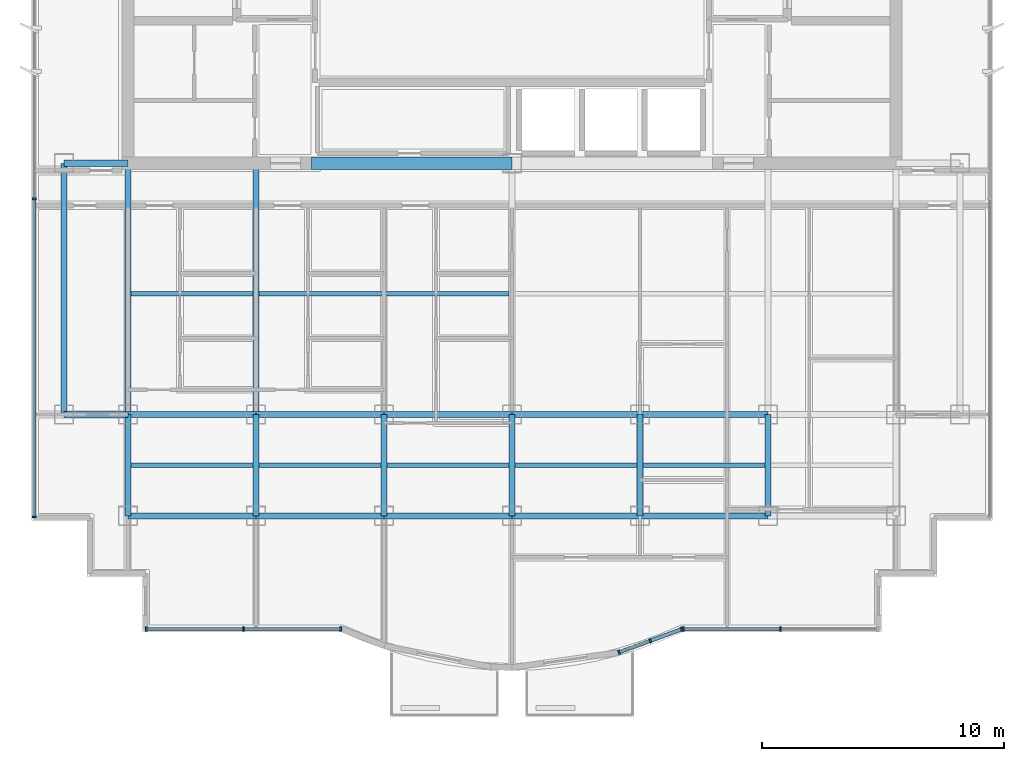
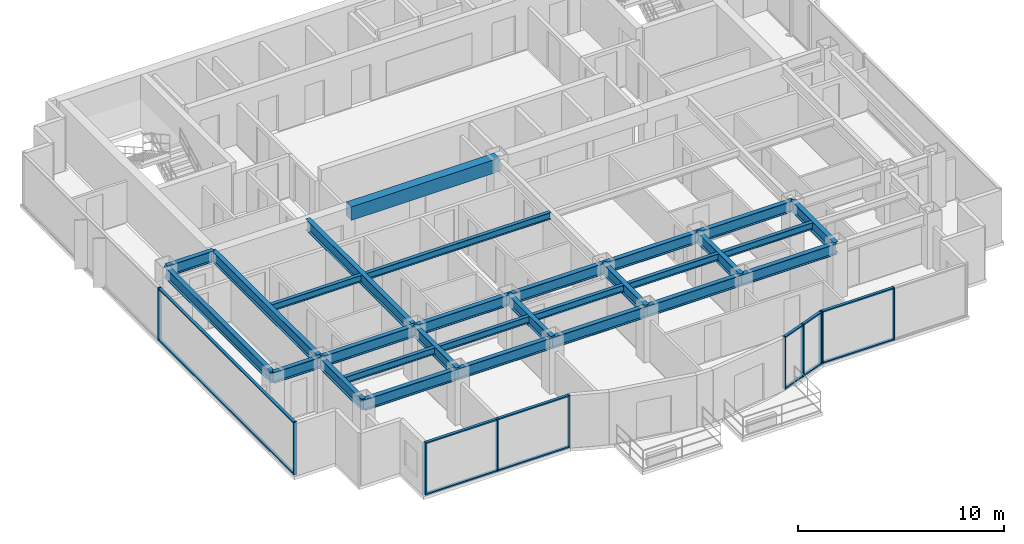
# One storey, part 2 of 12: 29 beams, 22 members, 4 elements without a shape of their own.
"""IFC4 building model written with IfcOpenShell, lengths in metres."""

from ifc_helpers import new_model, si_unit, direction, frame, origin, origin_2d, place, context, subcontext, project, spatial, rectangle, i_section, extrude, source, transform, mapped, material, layer, layer_set, material_profile, profile_set, type_object, element, aggregate, save


model = new_model("IFC4")

# Units and contexts
model_context = context("Model", 3, precision=1e-05, world=origin(), true_north=direction((0.0, 1.0)))
body_context = subcontext(model_context, "Body", "Model", "MODEL_VIEW")
ifc_project = project(units=[si_unit("LENGTHUNIT", "METRE"), si_unit("AREAUNIT", "SQUARE_METRE"), si_unit("VOLUMEUNIT", "CUBIC_METRE"), si_unit("PLANEANGLEUNIT", "RADIAN"), si_unit("MASSUNIT", "GRAM", prefix="KILO")], contexts=[model_context])

# Site, building, storey
site_placement = place(None, origin())
site = spatial("IfcSite", under=ifc_project, at=site_placement, CompositionType="ELEMENT")
building_placement = place(site_placement, origin())
building = spatial("IfcBuilding", under=site, at=building_placement, Name="Qianlan Lanfeng Residences", CompositionType="ELEMENT")
storey_placement = place(building_placement, frame((0.0, 0.0, 196.699951171875)))
storey = spatial("IfcBuildingStorey", under=building, at=storey_placement, Name="L53", CompositionType="ELEMENT", Elevation=196.699951171875)

# Beams
ifc_material_1 = material(Name="Steel SN490B", Category="steel")
ifc_material_profile_1 = material_profile(ifc_material_1, i_section(OverallWidth=0.25, OverallDepth=0.64990234375, WebThickness=0.012939453125, FlangeThickness=0.02197265625, at=origin_2d()), Name="H 650x250x13x22")
ifc_profile_set_1 = profile_set([ifc_material_profile_1], Name="Steel SN490B")
beam_type_1 = type_object("IfcBeamType", Name="G-650", PredefinedType="BEAM", material=ifc_profile_set_1)
beam_1_placement = place(storey_placement, frame((10.60009765625, 10.60009765625, 2.78515625), z_axis=(1.0, 0.0, 0.0), x_axis=(0.0, 1.0, 0.0)))
element("IfcBeam", 1, at=beam_1_placement, inside=storey, type_object=beam_type_1, Name="Structural beam G-650", PredefinedType="BEAM", context=body_context, shape_type="SweptSolid", body=[
    extrude(i_section(OverallWidth=0.25, OverallDepth=0.64990234375, WebThickness=0.012939453125, FlangeThickness=0.02197265625, at=origin_2d()), origin(), (0.0, 0.0, 1.0), 5.2998046875),
])
for number, where, z_axis, x_axis, name in (
    (2, (15.89990234375, 10.60009765625, 2.78515625), (1.0, 0.0, 0.0), (0.0, 1.0, 0.0), "Structural beam G-650"),
    (3, (21.199951171875, 10.60009765625, 2.78515625), (1.0, 0.0, 0.0), (0.0, 1.0, 0.0), "Structural beam G-650"),
    (4, (26.5, 10.60009765625, 2.78515625), (1.0, 0.0, 0.0), (0.0, 1.0, 0.0), "Structural beam G-650"),
    (5, (31.800048828125, 10.60009765625, 2.78515625), (1.0, 0.0, 0.0), (0.0, 1.0, 0.0), "Structural beam G-650"),
):
    element("IfcBeam", number, at=place(storey_placement, frame(where, z_axis=z_axis, x_axis=x_axis)), inside=storey, type_object=beam_type_1, Name=name, PredefinedType="BEAM", context=body_context, shape_type="SweptSolid", body=[
        extrude(i_section(OverallWidth=0.25, OverallDepth=0.64990234375, WebThickness=0.012939453125, FlangeThickness=0.02197265625, at=origin_2d()), origin(), (0.0, 0.0, 1.0), 5.300048828125),
    ])
beam_2_placement = place(storey_placement, frame((7.949951171875, 14.800048828125, 2.78515625), z_axis=(1.0, 0.0, 0.0), x_axis=(0.0, 1.0, 0.0)))
element("IfcBeam", 6, at=beam_2_placement, inside=storey, type_object=beam_type_1, Name="Structural beam G-650", PredefinedType="BEAM", context=body_context, shape_type="SweptSolid", body=[
    extrude(i_section(OverallWidth=0.25, OverallDepth=0.64990234375, WebThickness=0.012939453125, FlangeThickness=0.02197265625, at=origin_2d()), origin(), (0.0, 0.0, 1.0), 2.650146484375),
])
beam_3_placement = place(storey_placement, frame((10.60009765625, 14.800048828125, 2.78515625), z_axis=(1.0, 0.0, 0.0), x_axis=(0.0, 1.0, 0.0)))
element("IfcBeam", 7, at=beam_3_placement, inside=storey, type_object=beam_type_1, Name="Structural beam G-650", PredefinedType="BEAM", context=body_context, shape_type="SweptSolid", body=[
    extrude(i_section(OverallWidth=0.25, OverallDepth=0.64990234375, WebThickness=0.012939453125, FlangeThickness=0.02197265625, at=origin_2d()), origin(), (0.0, 0.0, 1.0), 5.2998046875),
])
for number, where, z_axis, x_axis, name in (
    (8, (15.89990234375, 14.800048828125, 2.78515625), (1.0, 0.0, 0.0), (0.0, 1.0, 0.0), "Structural beam G-650"),
    (9, (21.199951171875, 14.800048828125, 2.78515625), (1.0, 0.0, 0.0), (0.0, 1.0, 0.0), "Structural beam G-650"),
    (10, (26.5, 14.800048828125, 2.78515625), (1.0, 0.0, 0.0), (0.0, 1.0, 0.0), "Structural beam G-650"),
    (11, (31.800048828125, 14.800048828125, 2.78515625), (1.0, 0.0, 0.0), (0.0, 1.0, 0.0), "Structural beam G-650"),
):
    element("IfcBeam", number, at=place(storey_placement, frame(where, z_axis=z_axis, x_axis=x_axis)), inside=storey, type_object=beam_type_1, Name=name, PredefinedType="BEAM", context=body_context, shape_type="SweptSolid", body=[
        extrude(i_section(OverallWidth=0.25, OverallDepth=0.64990234375, WebThickness=0.012939453125, FlangeThickness=0.02197265625, at=origin_2d()), origin(), (0.0, 0.0, 1.0), 5.300048828125),
    ])
beam_4_placement = place(storey_placement, frame((7.949951171875, 25.199951171875, 2.78515625), z_axis=(1.0, 0.0, 0.0), x_axis=(0.0, 1.0, 0.0)))
element("IfcBeam", 12, at=beam_4_placement, inside=storey, type_object=beam_type_1, Name="Structural beam G-650", PredefinedType="BEAM", context=body_context, shape_type="SweptSolid", body=[
    extrude(i_section(OverallWidth=0.25, OverallDepth=0.64990234375, WebThickness=0.012939453125, FlangeThickness=0.02197265625, at=origin_2d()), origin(), (0.0, 0.0, 1.0), 2.650146484375),
])
beam_5_placement = place(storey_placement, frame((10.60009765625, 10.60009765625, 2.78515625), z_axis=(0.0, 1.0, 0.0), x_axis=(-1.0, 0.0, 0.0)))
element("IfcBeam", 13, at=beam_5_placement, inside=storey, type_object=beam_type_1, Name="Structural beam G-650", PredefinedType="BEAM", context=body_context, shape_type="SweptSolid", body=[
    extrude(i_section(OverallWidth=0.25, OverallDepth=0.64990234375, WebThickness=0.012939453125, FlangeThickness=0.02197265625, at=origin_2d()), origin(), (0.0, 0.0, 1.0), 4.199951171875),
])
beam_6_placement = place(storey_placement, frame((10.60009765625, 14.800048828125, 2.78515625), z_axis=(0.0, 1.0, 0.0), x_axis=(-1.0, 0.0, 0.0)))
element("IfcBeam", 14, at=beam_6_placement, inside=storey, type_object=beam_type_1, Name="Structural beam G-650", PredefinedType="BEAM", context=body_context, shape_type="SweptSolid", body=[
    extrude(i_section(OverallWidth=0.25, OverallDepth=0.64990234375, WebThickness=0.012939453125, FlangeThickness=0.02197265625, at=origin_2d()), origin(), (0.0, 0.0, 1.0), 10.39990234375),
])
beam_7_placement = place(storey_placement, frame((15.89990234375, 10.60009765625, 2.78515625), z_axis=(0.0, 1.0, 0.0), x_axis=(-1.0, 0.0, 0.0)))
element("IfcBeam", 15, at=beam_7_placement, inside=storey, type_object=beam_type_1, Name="Structural beam G-650", PredefinedType="BEAM", context=body_context, shape_type="SweptSolid", body=[
    extrude(i_section(OverallWidth=0.25, OverallDepth=0.64990234375, WebThickness=0.012939453125, FlangeThickness=0.02197265625, at=origin_2d()), origin(), (0.0, 0.0, 1.0), 4.199951171875),
])
beam_8_placement = place(storey_placement, frame((15.89990234375, 14.800048828125, 2.78515625), z_axis=(0.0, 1.0, 0.0), x_axis=(-1.0, 0.0, 0.0)))
element("IfcBeam", 16, at=beam_8_placement, inside=storey, type_object=beam_type_1, Name="Structural beam G-650", PredefinedType="BEAM", context=body_context, shape_type="SweptSolid", body=[
    extrude(i_section(OverallWidth=0.25, OverallDepth=0.64990234375, WebThickness=0.012939453125, FlangeThickness=0.02197265625, at=origin_2d()), origin(), (0.0, 0.0, 1.0), 10.39990234375),
])
for number, where, z_axis, x_axis, name in (
    (17, (21.199951171875, 10.60009765625, 2.78515625), (0.0, 1.0, 0.0), (-1.0, 0.0, 0.0), "Structural beam G-650"),
    (18, (26.5, 10.60009765625, 2.78515625), (0.0, 1.0, 0.0), (-1.0, 0.0, 0.0), "Structural beam G-650"),
    (19, (31.800048828125, 10.60009765625, 2.78515625), (0.0, 1.0, 0.0), (-1.0, 0.0, 0.0), "Structural beam G-650"),
    (20, (37.10009765625, 10.60009765625, 2.78515625), (0.0, 1.0, 0.0), (-1.0, 0.0, 0.0), "Structural beam G-650"),
):
    element("IfcBeam", number, at=place(storey_placement, frame(where, z_axis=z_axis, x_axis=x_axis)), inside=storey, type_object=beam_type_1, Name=name, PredefinedType="BEAM", context=body_context, shape_type="SweptSolid", body=[
        extrude(i_section(OverallWidth=0.25, OverallDepth=0.64990234375, WebThickness=0.012939453125, FlangeThickness=0.02197265625, at=origin_2d()), origin(), (0.0, 0.0, 1.0), 4.199951171875),
    ])
ifc_material_profile_2 = material_profile(ifc_material_1, i_section(OverallWidth=0.199951171875, OverallDepth=0.39990234375, WebThickness=0.008056640625, FlangeThickness=0.012939453125, at=origin_2d()), Name="H 400x200x8x13")
ifc_profile_set_2 = profile_set([ifc_material_profile_2], Name="Steel SN490B")
beam_type_2 = type_object("IfcBeamType", Name="J-400", PredefinedType="JOIST", material=ifc_profile_set_2)
beam_9_placement = place(storey_placement, frame((10.72509765625, 12.699951171875, 2.91015625), z_axis=(1.0, 0.0, 0.0), x_axis=(0.0, 1.0, 0.0)))
element("IfcBeam", 21, at=beam_9_placement, inside=storey, type_object=beam_type_2, Name="Structural beam J-400", PredefinedType="JOIST", context=body_context, shape_type="SweptSolid", body=[
    extrude(i_section(OverallWidth=0.199951171875, OverallDepth=0.39990234375, WebThickness=0.008056640625, FlangeThickness=0.012939453125, at=origin_2d()), origin(), (0.0, 0.0, 1.0), 5.0498046875),
])
for number, where, z_axis, x_axis, name in (
    (22, (16.02490234375, 12.699951171875, 2.91015625), (1.0, 0.0, 0.0), (0.0, 1.0, 0.0), "Structural beam J-400"),
    (23, (21.324951171875, 12.699951171875, 2.91015625), (1.0, 0.0, 0.0), (0.0, 1.0, 0.0), "Structural beam J-400"),
    (24, (26.625, 12.699951171875, 2.91015625), (1.0, 0.0, 0.0), (0.0, 1.0, 0.0), "Structural beam J-400"),
    (25, (31.925048828125, 12.699951171875, 2.91015625), (1.0, 0.0, 0.0), (0.0, 1.0, 0.0), "Structural beam J-400"),
):
    element("IfcBeam", number, at=place(storey_placement, frame(where, z_axis=z_axis, x_axis=x_axis)), inside=storey, type_object=beam_type_2, Name=name, PredefinedType="JOIST", context=body_context, shape_type="SweptSolid", body=[
        extrude(i_section(OverallWidth=0.199951171875, OverallDepth=0.39990234375, WebThickness=0.008056640625, FlangeThickness=0.012939453125, at=origin_2d()), origin(), (0.0, 0.0, 1.0), 5.050048828125),
    ])
beam_10_placement = place(storey_placement, frame((10.72509765625, 19.800048828125, 2.91015625), z_axis=(1.0, 0.0, 0.0), x_axis=(0.0, 1.0, 0.0)))
element("IfcBeam", 26, at=beam_10_placement, inside=storey, type_object=beam_type_2, Name="Structural beam J-400", PredefinedType="JOIST", context=body_context, shape_type="SweptSolid", body=[
    extrude(i_section(OverallWidth=0.199951171875, OverallDepth=0.39990234375, WebThickness=0.008056640625, FlangeThickness=0.012939453125, at=origin_2d()), origin(), (0.0, 0.0, 1.0), 5.0498046875),
])
beam_11_placement = place(storey_placement, frame((16.02490234375, 19.800048828125, 2.91015625), z_axis=(1.0, 0.0, 0.0), x_axis=(0.0, 1.0, 0.0)))
element("IfcBeam", 27, at=beam_11_placement, inside=storey, type_object=beam_type_2, Name="Structural beam J-400", PredefinedType="JOIST", context=body_context, shape_type="SweptSolid", body=[
    extrude(i_section(OverallWidth=0.199951171875, OverallDepth=0.39990234375, WebThickness=0.008056640625, FlangeThickness=0.012939453125, at=origin_2d()), origin(), (0.0, 0.0, 1.0), 10.35009765625),
])
ifc_material_2 = material(Name="Concrete C49", Category="concrete")
ifc_material_profile_3 = material_profile(ifc_material_2, rectangle(XDim=0.5, YDim=0.800048828125, at=origin_2d()), Name="RC 500x800")
ifc_profile_set_3 = profile_set([ifc_material_profile_3], Name="Concrete C49")
beam_type_3 = type_object("IfcBeamType", Name="LB-RC750", PredefinedType="BEAM", material=ifc_profile_set_3)
beam_12_placement = place(storey_placement, frame((18.199951171875, 25.199951171875, 2.7099609375), z_axis=(1.0, 0.0, 0.0), x_axis=(0.0, 1.0, 0.0)))
element("IfcBeam", 28, at=beam_12_placement, inside=storey, type_object=beam_type_3, Name="L53 Core Coupling Beam W", PredefinedType="BEAM", context=body_context, shape_type="SweptSolid", body=[
    extrude(rectangle(XDim=0.5, YDim=0.800048828125, at=origin_2d()), origin(), (0.0, 0.0, 1.0), 8.300048828125),
])
ifc_material_profile_4 = material_profile(ifc_material_1, i_section(OverallWidth=0.25, OverallDepth=0.64990234375, WebThickness=0.012939453125, FlangeThickness=0.02197265625, at=origin_2d()), Name="H 650x250x13x22")
ifc_profile_set_4 = profile_set([ifc_material_profile_4], Name="Steel SN490B")
beam_type_4 = type_object("IfcBeamType", Name="SG-650", PredefinedType="SPANDREL", material=ifc_profile_set_4)
beam_13_placement = place(storey_placement, frame((7.949951171875, 14.800048828125, 2.76513671875), z_axis=(0.0, 1.0, 0.0), x_axis=(-1.0, 0.0, 0.0)))
element("IfcBeam", 29, at=beam_13_placement, inside=storey, type_object=beam_type_4, Name="Structural beam SG-650", PredefinedType="SPANDREL", context=body_context, shape_type="SweptSolid", body=[
    extrude(i_section(OverallWidth=0.25, OverallDepth=0.64990234375, WebThickness=0.012939453125, FlangeThickness=0.02197265625, at=origin_2d()), origin(), (0.0, 0.0, 1.0), 10.39990234375),
])

# Curtain wall, members
ifc_material_3 = material(Name="Anodised Bronze Aluminium 6063-T6", Category="aluminium")
ifc_layer = layer(ifc_material_3, 0.219970703125)
ifc_layer_set = layer_set([ifc_layer], Name="Anodised Bronze Aluminium 6063-T6")
curtain_wall_type = type_object("IfcCurtainWallType", Name="CW-05", PredefinedType="NOTDEFINED", material=ifc_layer_set)
curtain_wall_1_placement = place(storey_placement, origin())
curtain_wall_1 = element("IfcCurtainWall", 30, at=curtain_wall_1_placement, inside=storey, type_object=curtain_wall_type, Name="L53 Unitised Curtain Wall CWR-L53-01 (CW-05)", PredefinedType="NOTDEFINED")
ifc_material_profile_5 = material_profile(ifc_material_3, rectangle(XDim=0.074951171875, YDim=0.14990234375, at=origin_2d()), Name="ALU TRANSOM 75x150")
ifc_profile_set_5 = profile_set([ifc_material_profile_5], Name="Anodised Bronze Aluminium 6063-T6")
member_type_1 = type_object("IfcMemberType", Name="CWT-150", PredefinedType="USERDEFINED", material=ifc_profile_set_5)
shared_shape_1 = source(origin(), body_context, "Body", "SweptSolid", [
    extrude(rectangle(XDim=0.074951171875, YDim=0.14990234375, at=origin_2d()), origin(), (0.0, 0.0, 1.0), 3.949462890625),
])
member_1_placement = place(storey_placement, frame((11.39501953125, 5.919921875, 0.03759765625), z_axis=(1.0, 0.0, 0.0), x_axis=(0.0, 0.0, 1.0)))
member_1 = element("IfcMember", 31, at=member_1_placement, type_object=member_type_1, Name="CWR-L53-01 Transom 1-BOT", ObjectType="TRANSOM", PredefinedType="USERDEFINED", context=body_context, shape_type="MappedRepresentation", body=[
    mapped(shared_shape_1, transform((0.0, 0.0, 0.0), scale=1.0)),
])
member_2_placement = place(storey_placement, frame((11.39501953125, 5.919921875, 3.072509765625), z_axis=(1.0, 0.0, 0.0), x_axis=(0.0, 0.0, 1.0)))
member_2 = element("IfcMember", 32, at=member_2_placement, type_object=member_type_1, Name="CWR-L53-01 Transom 1-TOP", ObjectType="TRANSOM", PredefinedType="USERDEFINED", context=body_context, shape_type="MappedRepresentation", body=[
    mapped(shared_shape_1, transform((0.0, 0.0, 0.0), scale=1.0)),
])
member_3_placement = place(storey_placement, frame((15.41943359375, 5.919921875, 0.03759765625), z_axis=(1.0, 0.0, 0.0), x_axis=(0.0, 0.0, 1.0)))
member_3 = element("IfcMember", 33, at=member_3_placement, type_object=member_type_1, Name="CWR-L53-01 Transom 2-BOT", ObjectType="TRANSOM", PredefinedType="USERDEFINED", context=body_context, shape_type="MappedRepresentation", body=[
    mapped(shared_shape_1, transform((0.0, 0.0, 0.0), scale=1.0)),
])
member_4_placement = place(storey_placement, frame((15.41943359375, 5.919921875, 3.072509765625), z_axis=(1.0, 0.0, 0.0), x_axis=(0.0, 0.0, 1.0)))
member_4 = element("IfcMember", 34, at=member_4_placement, type_object=member_type_1, Name="CWR-L53-01 Transom 2-TOP", ObjectType="TRANSOM", PredefinedType="USERDEFINED", context=body_context, shape_type="MappedRepresentation", body=[
    mapped(shared_shape_1, transform((0.0, 0.0, 0.0), scale=1.0)),
])

curtain_wall_2_placement = place(storey_placement, origin())
curtain_wall_2 = element("IfcCurtainWall", 35, at=curtain_wall_2_placement, inside=storey, type_object=curtain_wall_type, Name="L53 Unitised Curtain Wall CWR-L53-03 (CW-05)", PredefinedType="NOTDEFINED")
member_5_placement = place(storey_placement, frame((33.631103515625, 5.919921875, 0.03759765625), z_axis=(1.0, 0.0, 0.0), x_axis=(0.0, 0.0, 1.0)))
member_5 = element("IfcMember", 36, at=member_5_placement, type_object=member_type_1, Name="CWR-L53-03 Transom 1-BOT", ObjectType="TRANSOM", PredefinedType="USERDEFINED", context=body_context, shape_type="MappedRepresentation", body=[
    mapped(shared_shape_1, transform((0.0, 0.0, 0.0), scale=1.0)),
])
member_6_placement = place(storey_placement, frame((33.631103515625, 5.919921875, 3.072509765625), z_axis=(1.0, 0.0, 0.0), x_axis=(0.0, 0.0, 1.0)))
member_6 = element("IfcMember", 37, at=member_6_placement, type_object=member_type_1, Name="CWR-L53-03 Transom 1-TOP", ObjectType="TRANSOM", PredefinedType="USERDEFINED", context=body_context, shape_type="MappedRepresentation", body=[
    mapped(shared_shape_1, transform((0.0, 0.0, 0.0), scale=1.0)),
])

# Member
ifc_material_profile_6 = material_profile(ifc_material_3, rectangle(XDim=0.074951171875, YDim=0.179931640625, at=origin_2d()), Name="ALU MULLION 75x180")
ifc_profile_set_6 = profile_set([ifc_material_profile_6], Name="Anodised Bronze Aluminium 6063-T6")
member_type_2 = type_object("IfcMemberType", Name="CWM-180", PredefinedType="MULLION", material=ifc_profile_set_6)
shared_shape_2 = source(origin(), body_context, "Body", "SweptSolid", [
    extrude(rectangle(XDim=0.074951171875, YDim=0.179931640625, at=origin_2d()), origin(), (0.0, 0.0, 1.0), 3.110107421875),
])
member_7_placement = place(storey_placement, frame((11.357421875, 5.919921875, 0.0), z_axis=(0.0, 0.0, 1.0), x_axis=(1.0, 0.0, 0.0)))
member_7 = element("IfcMember", 38, at=member_7_placement, type_object=member_type_2, Name="CWR-L53-01 Mullion 1", PredefinedType="MULLION", context=body_context, shape_type="MappedRepresentation", body=[
    mapped(shared_shape_2, transform((0.0, 0.0, 0.0), scale=1.0)),
])

member_8_placement = place(storey_placement, frame((15.382080078125, 5.919921875, 0.0), z_axis=(0.0, 0.0, 1.0), x_axis=(1.0, 0.0, 0.0)))
member_8 = element("IfcMember", 39, at=member_8_placement, type_object=member_type_2, Name="CWR-L53-01 Mullion 2", PredefinedType="MULLION", context=body_context, shape_type="MappedRepresentation", body=[
    mapped(shared_shape_2, transform((0.0, 0.0, 0.0), scale=1.0)),
])

member_9_placement = place(storey_placement, frame((19.406494140625, 5.919921875, 0.0), z_axis=(0.0, 0.0, 1.0), x_axis=(1.0, 0.0, 0.0)))
member_9 = element("IfcMember", 40, at=member_9_placement, type_object=member_type_2, Name="CWR-L53-01 Mullion 3", PredefinedType="MULLION", context=body_context, shape_type="MappedRepresentation", body=[
    mapped(shared_shape_2, transform((0.0, 0.0, 0.0), scale=1.0)),
])

aggregate(curtain_wall_1, [member_7, member_8, member_9, member_1, member_2, member_3, member_4])

# Curtain wall, members
curtain_wall_3_placement = place(storey_placement, origin())
curtain_wall_3 = element("IfcCurtainWall", 41, at=curtain_wall_3_placement, inside=storey, type_object=curtain_wall_type, Name="L53 Unitised Curtain Wall CWR-L53-02 (CW-05)", PredefinedType="NOTDEFINED")
member_10_placement = place(storey_placement, frame((30.92724609375, 4.953857421875, 0.0), z_axis=(0.0, 0.0, 1.0), x_axis=(0.938625538563, 0.344937818101, 0.0)))
member_10 = element("IfcMember", 42, at=member_10_placement, type_object=member_type_2, Name="CWR-L53-02 Mullion 1", PredefinedType="MULLION", context=body_context, shape_type="MappedRepresentation", body=[
    mapped(shared_shape_2, transform((0.0, 0.0, 0.0), scale=1.0)),
])
member_11_placement = place(storey_placement, frame((32.22412109375, 5.430419921875, 0.0), z_axis=(0.0, 0.0, 1.0), x_axis=(0.938625538563, 0.344937818101, 0.0)))
member_11 = element("IfcMember", 43, at=member_11_placement, type_object=member_type_2, Name="CWR-L53-02 Mullion 2", PredefinedType="MULLION", context=body_context, shape_type="MappedRepresentation", body=[
    mapped(shared_shape_2, transform((0.0, 0.0, 0.0), scale=1.0)),
])
member_12_placement = place(storey_placement, frame((33.520751953125, 5.906982421875, 0.0), z_axis=(0.0, 0.0, 1.0), x_axis=(0.938625538563, 0.344937818101, 0.0)))
member_12 = element("IfcMember", 44, at=member_12_placement, type_object=member_type_2, Name="CWR-L53-02 Mullion 3", PredefinedType="MULLION", context=body_context, shape_type="MappedRepresentation", body=[
    mapped(shared_shape_2, transform((0.0, 0.0, 0.0), scale=1.0)),
])

# Member
member_13_placement = place(storey_placement, frame((33.593505859375, 5.919921875, 0.0), z_axis=(0.0, 0.0, 1.0), x_axis=(1.0, 0.0, 0.0)))
member_13 = element("IfcMember", 45, at=member_13_placement, type_object=member_type_2, Name="CWR-L53-03 Mullion 1", PredefinedType="MULLION", context=body_context, shape_type="MappedRepresentation", body=[
    mapped(shared_shape_2, transform((0.0, 0.0, 0.0), scale=1.0)),
])

member_14_placement = place(storey_placement, frame((37.617919921875, 5.919921875, 0.0), z_axis=(0.0, 0.0, 1.0), x_axis=(1.0, 0.0, 0.0)))
member_14 = element("IfcMember", 46, at=member_14_placement, type_object=member_type_2, Name="CWR-L53-03 Mullion 2", PredefinedType="MULLION", context=body_context, shape_type="MappedRepresentation", body=[
    mapped(shared_shape_2, transform((0.0, 0.0, 0.0), scale=1.0)),
])

aggregate(curtain_wall_2, [member_13, member_14, member_5, member_6])

# Curtain wall, members
curtain_wall_4_placement = place(storey_placement, origin())
curtain_wall_4 = element("IfcCurtainWall", 47, at=curtain_wall_4_placement, inside=storey, type_object=curtain_wall_type, Name="L53 Unitised Curtain Wall CWR-L53-05 (CW-05)", PredefinedType="NOTDEFINED")
member_15_placement = place(storey_placement, frame((6.719970703125, 23.72509765625, 0.0), z_axis=(0.0, 0.0, 1.0), x_axis=(0.0, -1.0, 0.0)))
member_15 = element("IfcMember", 48, at=member_15_placement, type_object=member_type_2, Name="CWR-L53-05 Mullion 2", PredefinedType="MULLION", context=body_context, shape_type="MappedRepresentation", body=[
    mapped(shared_shape_2, transform((0.0, 0.0, 0.0), scale=1.0)),
])
member_16_placement = place(storey_placement, frame((6.719970703125, 10.5576171875, 0.0), z_axis=(0.0, 0.0, 1.0), x_axis=(0.0, -1.0, 0.0)))
member_16 = element("IfcMember", 49, at=member_16_placement, type_object=member_type_2, Name="CWR-L53-05 Mullion 3", PredefinedType="MULLION", context=body_context, shape_type="MappedRepresentation", body=[
    mapped(shared_shape_2, transform((0.0, 0.0, 0.0), scale=1.0)),
])

# Member
shared_shape_3 = source(origin(), body_context, "Body", "SweptSolid", [
    extrude(rectangle(XDim=0.074951171875, YDim=0.14990234375, at=origin_2d()), origin(), (0.0, 0.0, 1.0), 1.306396484375),
])
member_17_placement = place(storey_placement, frame((30.96240234375, 4.966796875, 0.03759765625), z_axis=(0.938620376522, 0.344951864436, 0.0), x_axis=(0.0, 0.0, 1.0)))
member_17 = element("IfcMember", 50, at=member_17_placement, type_object=member_type_1, Name="CWR-L53-02 Transom 1-BOT", ObjectType="TRANSOM", PredefinedType="USERDEFINED", context=body_context, shape_type="MappedRepresentation", body=[
    mapped(shared_shape_3, transform((0.0, 0.0, 0.0), scale=1.0)),
])

member_18_placement = place(storey_placement, frame((30.96240234375, 4.966796875, 3.072509765625), z_axis=(0.938620376522, 0.344951864436, 0.0), x_axis=(0.0, 0.0, 1.0)))
member_18 = element("IfcMember", 51, at=member_18_placement, type_object=member_type_1, Name="CWR-L53-02 Transom 1-TOP", ObjectType="TRANSOM", PredefinedType="USERDEFINED", context=body_context, shape_type="MappedRepresentation", body=[
    mapped(shared_shape_3, transform((0.0, 0.0, 0.0), scale=1.0)),
])

member_19_placement = place(storey_placement, frame((32.25927734375, 5.443359375, 0.03759765625), z_axis=(0.938620376522, 0.344951864436, 0.0), x_axis=(0.0, 0.0, 1.0)))
member_19 = element("IfcMember", 52, at=member_19_placement, type_object=member_type_1, Name="CWR-L53-02 Transom 2-BOT", ObjectType="TRANSOM", PredefinedType="USERDEFINED", context=body_context, shape_type="MappedRepresentation", body=[
    mapped(shared_shape_3, transform((0.0, 0.0, 0.0), scale=1.0)),
])

member_20_placement = place(storey_placement, frame((32.25927734375, 5.443359375, 3.072509765625), z_axis=(0.938620376522, 0.344951864436, 0.0), x_axis=(0.0, 0.0, 1.0)))
member_20 = element("IfcMember", 53, at=member_20_placement, type_object=member_type_1, Name="CWR-L53-02 Transom 2-TOP", ObjectType="TRANSOM", PredefinedType="USERDEFINED", context=body_context, shape_type="MappedRepresentation", body=[
    mapped(shared_shape_3, transform((0.0, 0.0, 0.0), scale=1.0)),
])

aggregate(curtain_wall_3, [member_10, member_11, member_12, member_17, member_18, member_19, member_20])

shared_shape_4 = source(origin(), body_context, "Body", "SweptSolid", [
    extrude(rectangle(XDim=0.074951171875, YDim=0.14990234375, at=origin_2d()), origin(), (0.0, 0.0, 1.0), 13.092529296875),
])
member_21_placement = place(storey_placement, frame((6.719970703125, 23.6875, 0.03759765625), z_axis=(0.0, -1.0, 0.0), x_axis=(0.0, 0.0, 1.0)))
member_21 = element("IfcMember", 54, at=member_21_placement, type_object=member_type_1, Name="CWR-L53-05 Transom 2-BOT", ObjectType="TRANSOM", PredefinedType="USERDEFINED", context=body_context, shape_type="MappedRepresentation", body=[
    mapped(shared_shape_4, transform((0.0, 0.0, 0.0), scale=1.0)),
])

member_22_placement = place(storey_placement, frame((6.719970703125, 23.6875, 3.072509765625), z_axis=(0.0, -1.0, 0.0), x_axis=(0.0, 0.0, 1.0)))
member_22 = element("IfcMember", 55, at=member_22_placement, type_object=member_type_1, Name="CWR-L53-05 Transom 2-TOP", ObjectType="TRANSOM", PredefinedType="USERDEFINED", context=body_context, shape_type="MappedRepresentation", body=[
    mapped(shared_shape_4, transform((0.0, 0.0, 0.0), scale=1.0)),
])

aggregate(curtain_wall_4, [member_15, member_16, member_21, member_22])

save(model, "model.ifc")
